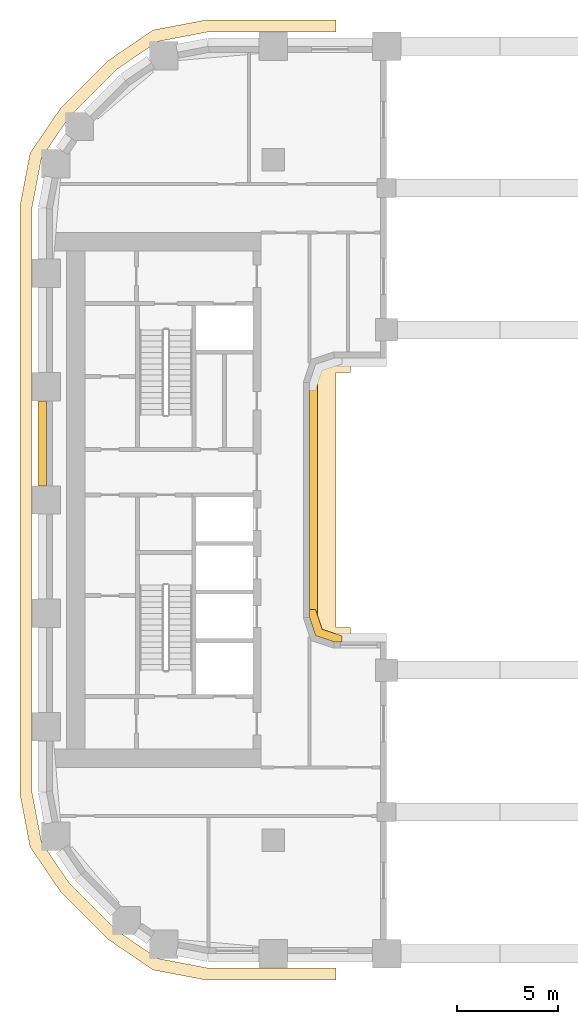
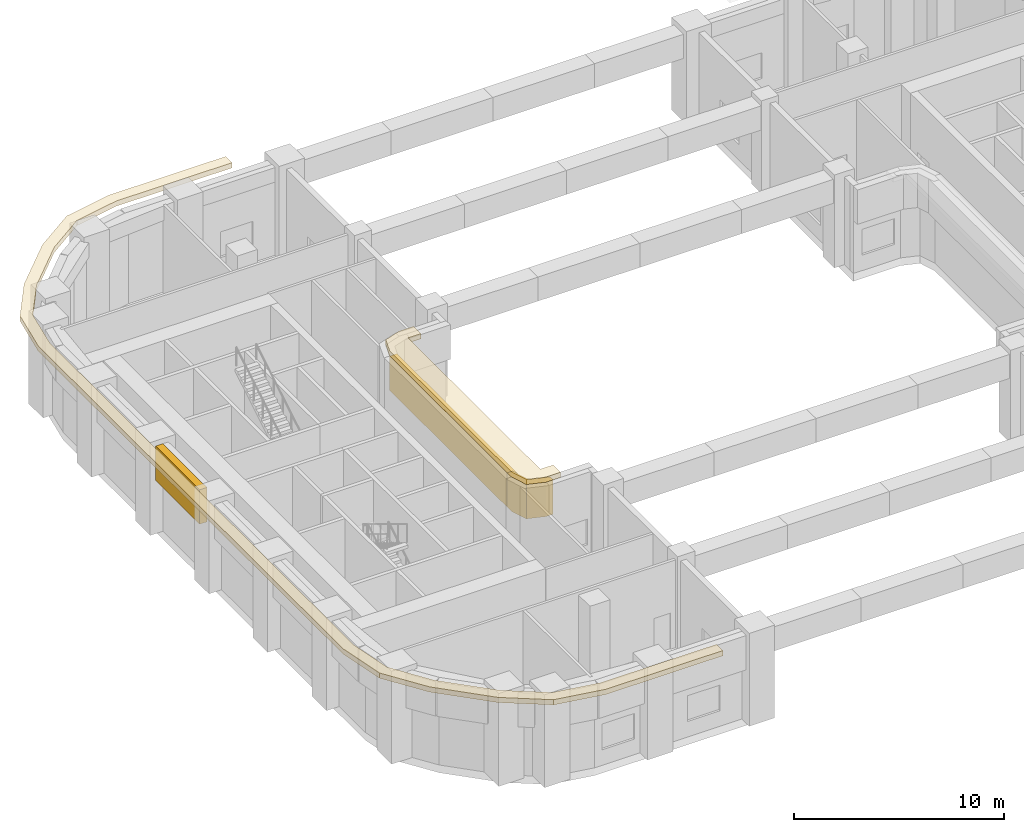
# One storey, part 9 of 14: 5 coverings.
"""IFC4 building model written with IfcOpenShell, lengths in metres."""

from ifc_helpers import new_model, si_unit, direction, frame, origin, origin_2d, place, context, subcontext, project, spatial, polyline, rectangle, outline, extrude, material, layer, layer_set, type_object, element, save


model = new_model("IFC4")

# Units and contexts
model_context = context("Model", 3, precision=1e-05, world=origin(), true_north=direction((0.0, 1.0)))
body_context = subcontext(model_context, "Body", "Model", "MODEL_VIEW")
ifc_project = project(units=[si_unit("LENGTHUNIT", "METRE"), si_unit("AREAUNIT", "SQUARE_METRE"), si_unit("VOLUMEUNIT", "CUBIC_METRE"), si_unit("PLANEANGLEUNIT", "RADIAN"), si_unit("MASSUNIT", "GRAM", prefix="KILO")], contexts=[model_context])

# Site, building, storey
site_placement = place(None, origin())
site = spatial("IfcSite", under=ifc_project, at=site_placement, CompositionType="ELEMENT")
building_placement = place(site_placement, origin())
building = spatial("IfcBuilding", under=site, at=building_placement, Name="Kiln Ring Residences", CompositionType="ELEMENT")
storey_placement = place(building_placement, frame((0.0, 0.0, 77.89990234375)))
storey = spatial("IfcBuildingStorey", under=building, at=storey_placement, Name="L19", CompositionType="ELEMENT", Elevation=77.89990234375)

# Coverings
ifc_material_1 = material(Name="Black powder-coated steel", Category="steel")
ifc_layer = layer(ifc_material_1, 0.300048828125)
ifc_layer_set = layer_set([ifc_layer], Name="SUNSHADE FIN 600")
covering_type_1 = type_object("IfcCoveringType", Name="SUNSHADE FIN 600", PredefinedType="CLADDING", material=ifc_layer_set)
placement = place(storey_placement, frame((0.0, 0.0, 5.10009765625)))
element("IfcCovering", 1, at=placement, inside=storey, type_object=covering_type_1, Name="SUNSHADE FIN L19", PredefinedType="CLADDING", context=body_context, shape_type="SweptSolid", body=[
    extrude(outline(polyline([(-28.80224609375, 17.13232421875), (-29.300048828125, 14.52294921875), (-29.300048828125, -14.52294921875), (-28.80224609375, -17.13232421875), (-27.30908203125, -19.329345703125), (-24.929443359375, -21.708984375), (-22.732421875, -23.202392578125), (-20.122802734375, -23.699951171875), (-13.699951171875, -23.699951171875), (-13.699951171875, -23.10009765625), (-20.066162109375, -23.10009765625), (-22.497802734375, -22.63623046875), (-24.545166015625, -21.24462890625), (-26.8447265625, -18.9453125), (-28.236083984375, -16.897705078125), (-28.699951171875, -14.46630859375), (-28.699951171875, 14.46630859375), (-28.236083984375, 16.897705078125), (-26.8447265625, 18.9453125), (-24.545166015625, 21.24462890625), (-22.497802734375, 22.63623046875), (-20.066162109375, 23.10009765625), (-13.699951171875, 23.10009765625), (-13.699951171875, 23.699951171875), (-20.122802734375, 23.699951171875), (-22.732421875, 23.202392578125), (-24.929443359375, 21.708984375), (-27.30908203125, 19.329345703125), (-28.80224609375, 17.13232421875)])), origin(), (0.0, 0.0, 1.0), 0.300048828125),
])
element("IfcCovering", 2, at=placement, inside=storey, type_object=covering_type_1, Name="SUNSHADE FIN L19", PredefinedType="CLADDING", context=body_context, shape_type="SweptSolid", body=[
    extrude(outline(polyline([(-13.699951171875, 5.589111328125), (-13.699951171875, 6.29541015625), (-13.686279296875, 6.300048828125), (-12.989990234375, 6.300048828125), (-12.989990234375, 7.0), (-13.800048828125, 7.0), (-14.699951171875, 6.699951171875), (-15.0, 5.800048828125), (-15.0, -5.800048828125), (-14.699951171875, -6.699951171875), (-13.800048828125, -7.0), (-12.989990234375, -7.0), (-12.989990234375, -6.300048828125), (-13.686279296875, -6.300048828125), (-13.699951171875, -6.29541015625), (-13.699951171875, -5.589111328125), (-13.699951171875, 5.589111328125)])), origin(), (0.0, 0.0, 1.0), 0.300048828125),
])
ifc_material_2 = material(Name="Concrete C35/45, exposed aggregate finish", Category="concrete")
covering_type_2 = type_object("IfcCoveringType", Name="TIE BAND 2000 x 400", PredefinedType="CLADDING", material=ifc_material_2)
covering_3_placement = place(storey_placement, frame((-14.800048828125, 0.0, 3.10009765625), z_axis=(0.0, 0.0, 1.0), x_axis=(0.0, 1.0, 0.0)))
element("IfcCovering", 3, at=covering_3_placement, inside=storey, type_object=covering_type_2, Name="TIE BAND L19", PredefinedType="CLADDING", context=body_context, shape_type="SweptSolid", body=[
    extrude(rectangle(XDim=11.60009765625, YDim=0.39990234375, at=origin_2d()), origin(), (0.0, 0.0, 1.0), 2.0),
])
covering_4_placement = place(storey_placement, frame((-28.199951171875, 2.800048828125, 3.10009765625), z_axis=(0.0, 0.0, 1.0), x_axis=(0.0, -1.0, 0.0)))
element("IfcCovering", 4, at=covering_4_placement, inside=storey, type_object=covering_type_2, Name="TIE BAND L19", PredefinedType="CLADDING", context=body_context, shape_type="SweptSolid", body=[
    extrude(rectangle(XDim=4.199951171875, YDim=0.39990234375, at=origin_2d()), origin(), (0.0, 0.0, 1.0), 2.0),
])
covering_5_placement = place(storey_placement, frame((0.0, 0.0, 3.10009765625)))
element("IfcCovering", 5, at=covering_5_placement, inside=storey, type_object=covering_type_2, Name="TIE BAND L19", PredefinedType="CLADDING", context=body_context, shape_type="SweptSolid", body=[
    extrude(outline(polyline([(-13.800048828125, -7.0), (-13.39990234375, -7.0), (-13.39990234375, -6.711669921875), (-14.3837890625, -6.3837890625), (-14.711669921875, -5.39990234375), (-15.0, -5.39990234375), (-15.0, -5.800048828125), (-14.699951171875, -6.699951171875), (-13.800048828125, -7.0)])), origin(), (0.0, 0.0, 1.0), 2.0),
])

save(model, "model.ifc")
